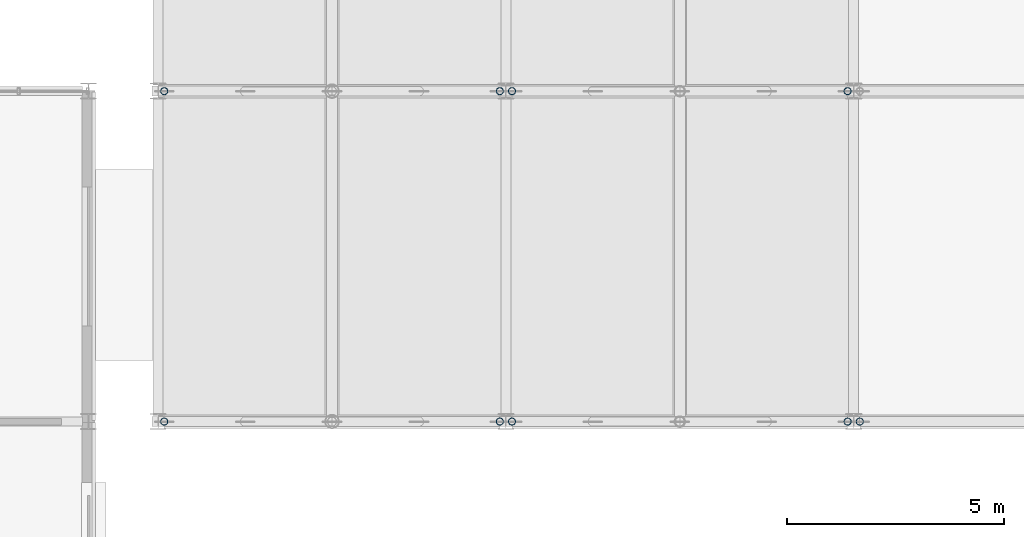
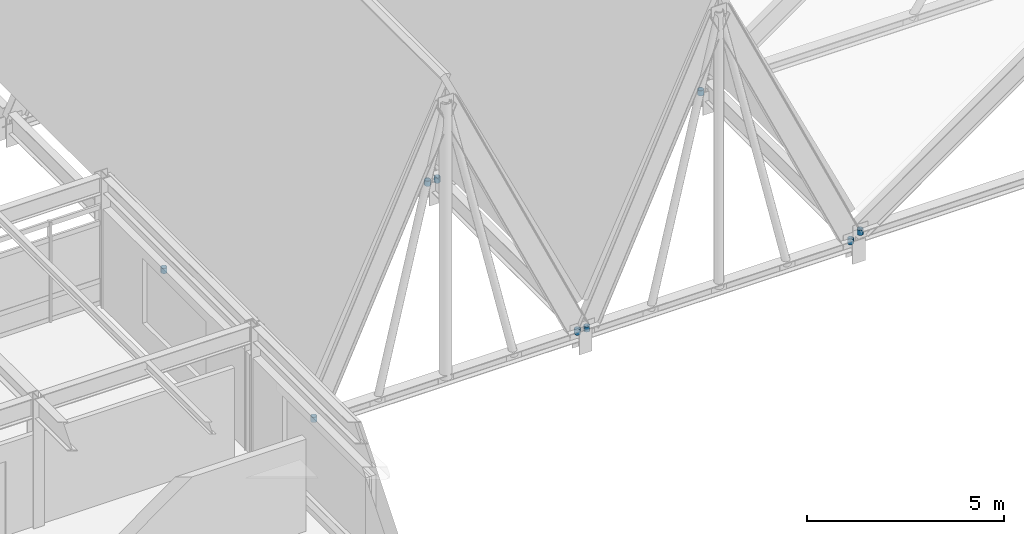
# One storey, part 54 of 85: 9 members.
"""IFC4 building model written with IfcOpenShell, lengths in metres."""

from ifc_helpers import new_model, si_unit, direction, frame, origin, origin_2d, place, context, subcontext, project, spatial, hollow_circle, extrude, material, material_profile, profile_set, type_object, element, save


model = new_model("IFC4")

# Units and contexts
model_context = context("Model", 3, precision=1e-05, world=origin(), true_north=direction((0.0, 1.0)))
body_context = subcontext(model_context, "Body", "Model", "MODEL_VIEW")
ifc_project = project(units=[si_unit("LENGTHUNIT", "METRE"), si_unit("AREAUNIT", "SQUARE_METRE"), si_unit("VOLUMEUNIT", "CUBIC_METRE"), si_unit("PLANEANGLEUNIT", "RADIAN"), si_unit("MASSUNIT", "GRAM", prefix="KILO")], contexts=[model_context])

# Site, building, storey
site_placement = place(None, origin())
site = spatial("IfcSite", under=ifc_project, at=site_placement, CompositionType="ELEMENT")
building_placement = place(site_placement, origin())
building = spatial("IfcBuilding", under=site, at=building_placement, Name="Zulena Civic Courthouse", CompositionType="ELEMENT")
storey_placement = place(building_placement, frame((0.0, 0.0, 25.199951171875)))
storey = spatial("IfcBuildingStorey", under=building, at=storey_placement, Name="L05", CompositionType="ELEMENT", Elevation=25.199951171875)

# Members
ifc_material = material(Name="Steel ASTM A500 Grade C", Category="steel")
ifc_material_profile = material_profile(ifc_material, hollow_circle(Radius=0.083984375, WallThickness=0.00732421875, at=origin_2d()), Name="HSS6.625X0.312")
ifc_profile_set = profile_set([ifc_material_profile], Name="Steel ASTM A500 Grade C")
member_type = type_object("IfcMemberType", Name="RoofWeb_CHS6", PredefinedType="USERDEFINED", material=ifc_profile_set)
for number, where, z_axis, x_axis, name in (
    (1, (68.139892578125, 15.199951171875, 0.343017578125), (0.0, 0.0, 1.0), (1.0, 0.0, 0.0), "mem:fold:postW:01:15.2"),
    (2, (75.860107421875, 15.199951171875, 0.343017578125), (0.0, 0.0, 1.0), (1.0, 0.0, 0.0), "mem:fold:postE:01:15.2"),
    (3, (68.139892578125, 22.800048828125, 0.343017578125), (0.0, 0.0, 1.0), (1.0, 0.0, 0.0), "mem:fold:postW:01:22.8"),
    (4, (75.860107421875, 22.800048828125, 0.343017578125), (0.0, 0.0, 1.0), (1.0, 0.0, 0.0), "mem:fold:postE:01:22.8"),
    (5, (76.139892578125, 15.199951171875, 0.343017578125), (0.0, 0.0, 1.0), (1.0, 0.0, 0.0), "mem:fold:postW:02:15.2"),
    (6, (83.860107421875, 15.199951171875, 0.343017578125), (0.0, 0.0, 1.0), (1.0, 0.0, 0.0), "mem:fold:postE:02:15.2"),
    (7, (76.139892578125, 22.800048828125, 0.343017578125), (0.0, 0.0, 1.0), (1.0, 0.0, 0.0), "mem:fold:postW:02:22.8"),
    (8, (83.860107421875, 22.800048828125, 0.343017578125), (0.0, 0.0, 1.0), (1.0, 0.0, 0.0), "mem:fold:postE:02:22.8"),
):
    element("IfcMember", number, at=place(storey_placement, frame(where, z_axis=z_axis, x_axis=x_axis)), inside=storey, type_object=member_type, Name=name, ObjectType="ROOF TRUSS", PredefinedType="USERDEFINED", context=body_context, shape_type="SweptSolid", body=[
        extrude(hollow_circle(Radius=0.083984375, WallThickness=0.00732421875, at=origin_2d()), origin(), (0.0, 0.0, 1.0), 0.159912109375),
    ])
member_placement = place(storey_placement, frame((84.139892578125, 15.199951171875, 0.536376953125), z_axis=(0.0, 0.0, 1.0), x_axis=(1.0, 0.0, 0.0)))
element("IfcMember", 9, at=member_placement, inside=storey, type_object=member_type, Name="mem:fold:postW:03:15.2", ObjectType="ROOF TRUSS", PredefinedType="USERDEFINED", context=body_context, shape_type="SweptSolid", body=[
    extrude(hollow_circle(Radius=0.083984375, WallThickness=0.00732421875, at=origin_2d()), origin(), (0.0, 0.0, 1.0), 0.16015625),
])

save(model, "model.ifc")
